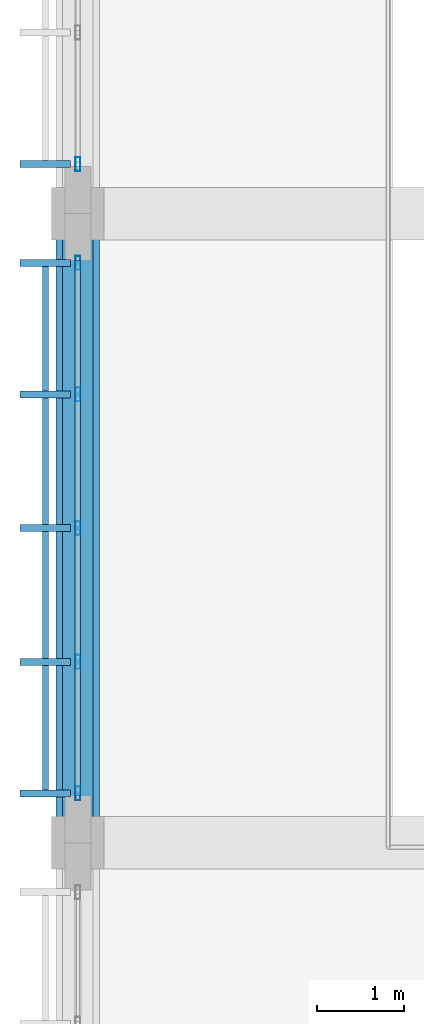
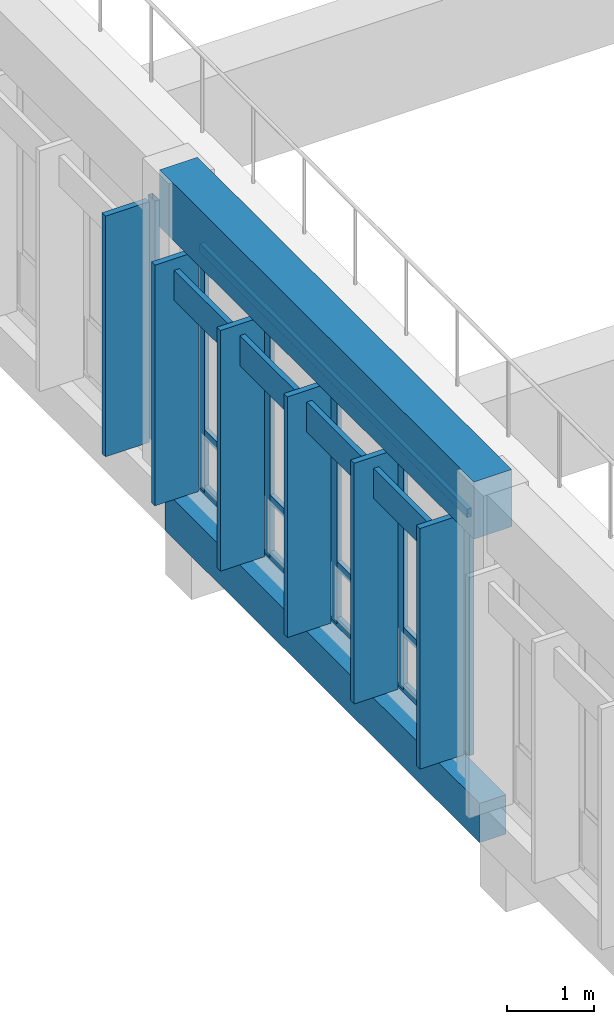
# One storey, part 15 of 182: 16 members, 2 beams, 2 elements without a shape of their own.
"""IFC4 building model written with IfcOpenShell, lengths in metres."""

from ifc_helpers import new_model, si_unit, direction, frame, origin, origin_2d, place, context, subcontext, project, spatial, rectangle, hollow_rectangle, extrude, material, material_profile, profile_set, type_object, element, aggregate, save


model = new_model("IFC4")

# Units and contexts
model_context = context("Model", 3, precision=1e-05, world=origin(), true_north=direction((0.0, 1.0)))
body_context = subcontext(model_context, "Body", "Model", "MODEL_VIEW")
ifc_project = project(units=[si_unit("LENGTHUNIT", "METRE"), si_unit("AREAUNIT", "SQUARE_METRE"), si_unit("VOLUMEUNIT", "CUBIC_METRE"), si_unit("PLANEANGLEUNIT", "RADIAN"), si_unit("MASSUNIT", "GRAM", prefix="KILO")], contexts=[model_context])

# Site, building, storey
site_placement = place(None, origin())
site = spatial("IfcSite", under=ifc_project, at=site_placement, CompositionType="ELEMENT")
building_placement = place(site_placement, origin())
building = spatial("IfcBuilding", under=site, at=building_placement, Name="Chiffa Square Polytechnic", CompositionType="ELEMENT")
storey_placement = place(building_placement, frame((0.0, 0.0, 9.60009765625)))
storey = spatial("IfcBuildingStorey", under=building, at=storey_placement, Name="L02", CompositionType="ELEMENT", Elevation=9.60009765625)

# Beams
ifc_material_1 = material(Name="Concrete C35/45", Category="concrete")
ifc_material_profile_1 = material_profile(ifc_material_1, rectangle(XDim=0.35009765625, YDim=0.550048828125, at=origin_2d()), Name="RC 350x550")
ifc_profile_set_1 = profile_set([ifc_material_profile_1], Name="Concrete C35/45")
beam_type_1 = type_object("IfcBeamType", Name="BM-RC-350X550", PredefinedType="BEAM", material=ifc_profile_set_1)
beam_1_placement = place(storey_placement, frame((0.0, 7.199951171875, -0.59521484375), z_axis=(0.0, 1.0, 0.0), x_axis=(-1.0, 0.0, 0.0)))
element("IfcBeam", 1, at=beam_1_placement, inside=storey, type_object=beam_type_1, Name="Primary floor girder BM-V3-L02-Y-0000-0072", PredefinedType="BEAM", context=body_context, shape_type="SweptSolid", body=[
    extrude(rectangle(XDim=0.35009765625, YDim=0.550048828125, at=origin_2d()), origin(), (0.0, 0.0, 1.0), 7.199951171875),
])
ifc_material_2 = material(Name="Concrete C40/50", Category="concrete")
ifc_material_profile_2 = material_profile(ifc_material_2, rectangle(XDim=0.5, YDim=0.800048828125, at=origin_2d()), Name="RC 500x800")
ifc_profile_set_2 = profile_set([ifc_material_profile_2], Name="Concrete C40/50")
beam_type_2 = type_object("IfcBeamType", Name="BM-RC-500X800", PredefinedType="BEAM", material=ifc_profile_set_2)
beam_2_placement = place(storey_placement, frame((0.0, 7.199951171875, 3.7998046875), z_axis=(0.0, 1.0, 0.0), x_axis=(-1.0, 0.0, 0.0)))
element("IfcBeam", 2, at=beam_2_placement, inside=storey, type_object=beam_type_2, Name="Lecture west eave ring beam BM-V3-EAVTIE-W2", PredefinedType="BEAM", context=body_context, shape_type="SweptSolid", body=[
    extrude(rectangle(XDim=0.5, YDim=0.800048828125, at=origin_2d()), origin(), (0.0, 0.0, 1.0), 7.199951171875),
])

# Curtain wall, member
ifc_material_3 = material(Name="Aluminium EN AW-6060 T66 and glulam shading", Category="wood")
curtain_wall_type_1 = type_object("IfcCurtainWallType", Name="CW-VERT-450X440", PredefinedType="USERDEFINED", material=ifc_material_3)
curtain_wall_1_placement = place(storey_placement, origin())
curtain_wall_1 = element("IfcCurtainWall", 3, at=curtain_wall_1_placement, inside=storey, type_object=curtain_wall_type_1, Name="Curtain wall CW-V3-L02-176", ObjectType="CURTAIN WALL", PredefinedType="USERDEFINED")
ifc_material_4 = material(Name="Aluminium EN AW-6060 T66", Category="aluminium")
ifc_material_profile_3 = material_profile(ifc_material_4, hollow_rectangle(XDim=0.06005859375, YDim=0.159912109375, WallThickness=0.00390625, at=origin_2d()), Name="ALU 60x160x4")
ifc_profile_set_3 = profile_set([ifc_material_profile_3], Name="Aluminium EN AW-6060 T66")
member_type_1 = type_object("IfcMemberType", Name="CWM-ALU-65X150", PredefinedType="MULLION", material=ifc_profile_set_3)
member_1_placement = place(storey_placement, frame((0.0, 14.965087890625, 0.0), z_axis=(0.0, 0.0, 1.0), x_axis=(1.0, 0.0, 0.0)))
member_1 = element("IfcMember", 4, at=member_1_placement, type_object=member_type_1, Name="Curtain wall mullion CW-V3-L02-176-M04", PredefinedType="MULLION", context=body_context, shape_type="SweptSolid", body=[
    extrude(hollow_rectangle(XDim=0.06005859375, YDim=0.159912109375, WallThickness=0.00390625, at=origin_2d()), origin(), (0.0, 0.0, 1.0), 3.385009765625),
])

# Curtain wall, members
curtain_wall_type_2 = type_object("IfcCurtainWallType", Name="CW-VERT-600X440", PredefinedType="USERDEFINED", material=ifc_material_3)
curtain_wall_2_placement = place(storey_placement, origin())
curtain_wall_2 = element("IfcCurtainWall", 5, at=curtain_wall_2_placement, inside=storey, type_object=curtain_wall_type_2, Name="Curtain wall CW-V3-L02-177", ObjectType="CURTAIN WALL", PredefinedType="USERDEFINED")
member_2_placement = place(storey_placement, frame((0.0, 13.8349609375, 0.0), z_axis=(0.0, 0.0, 1.0), x_axis=(1.0, 0.0, 0.0)))
member_2 = element("IfcMember", 6, at=member_2_placement, type_object=member_type_1, Name="Curtain wall mullion CW-V3-L02-177-M00", PredefinedType="MULLION", context=body_context, shape_type="SweptSolid", body=[
    extrude(hollow_rectangle(XDim=0.06005859375, YDim=0.159912109375, WallThickness=0.00390625, at=origin_2d()), origin(), (0.0, 0.0, 1.0), 3.385009765625),
])
member_3_placement = place(storey_placement, frame((0.0, 12.330078125, 0.0), z_axis=(0.0, 0.0, 1.0), x_axis=(1.0, 0.0, 0.0)))
member_3 = element("IfcMember", 7, at=member_3_placement, type_object=member_type_1, Name="Curtain wall mullion CW-V3-L02-177-M01", PredefinedType="MULLION", context=body_context, shape_type="SweptSolid", body=[
    extrude(hollow_rectangle(XDim=0.06005859375, YDim=0.159912109375, WallThickness=0.00390625, at=origin_2d()), origin(), (0.0, 0.0, 1.0), 3.385009765625),
])
member_4_placement = place(storey_placement, frame((0.0, 10.800048828125, 0.0), z_axis=(0.0, 0.0, 1.0), x_axis=(1.0, 0.0, 0.0)))
member_4 = element("IfcMember", 8, at=member_4_placement, type_object=member_type_1, Name="Curtain wall mullion CW-V3-L02-177-M02", PredefinedType="MULLION", context=body_context, shape_type="SweptSolid", body=[
    extrude(hollow_rectangle(XDim=0.06005859375, YDim=0.159912109375, WallThickness=0.00390625, at=origin_2d()), origin(), (0.0, 0.0, 1.0), 3.385009765625),
])
member_5_placement = place(storey_placement, frame((0.0, 9.27001953125, 0.0), z_axis=(0.0, 0.0, 1.0), x_axis=(1.0, 0.0, 0.0)))
member_5 = element("IfcMember", 9, at=member_5_placement, type_object=member_type_1, Name="Curtain wall mullion CW-V3-L02-177-M03", PredefinedType="MULLION", context=body_context, shape_type="SweptSolid", body=[
    extrude(hollow_rectangle(XDim=0.06005859375, YDim=0.159912109375, WallThickness=0.00390625, at=origin_2d()), origin(), (0.0, 0.0, 1.0), 3.385009765625),
])
member_6_placement = place(storey_placement, frame((0.0, 7.764892578125, 0.0), z_axis=(0.0, 0.0, 1.0), x_axis=(1.0, 0.0, 0.0)))
member_6 = element("IfcMember", 10, at=member_6_placement, type_object=member_type_1, Name="Curtain wall mullion CW-V3-L02-177-M04", PredefinedType="MULLION", context=body_context, shape_type="SweptSolid", body=[
    extrude(hollow_rectangle(XDim=0.06005859375, YDim=0.159912109375, WallThickness=0.00390625, at=origin_2d()), origin(), (0.0, 0.0, 1.0), 3.385009765625),
])

# Member
ifc_material_5 = material(Name="Glulam GL28h", Category="wood")
ifc_material_profile_4 = material_profile(ifc_material_5, rectangle(XDim=0.080078125, YDim=0.580078125, at=origin_2d()), Name="GL28h 80x580")
ifc_profile_set_4 = profile_set([ifc_material_profile_4], Name="Glulam GL28h")
member_type_2 = type_object("IfcMemberType", Name="CWM-GL-80X580", PredefinedType="MULLION", material=ifc_profile_set_4)
member_7_placement = place(storey_placement, frame((-0.3720703125, 14.965087890625, 0.010009765625), z_axis=(0.0, 0.0, 1.0), x_axis=(0.0, -1.0, 0.0)))
member_7 = element("IfcMember", 11, at=member_7_placement, type_object=member_type_2, Name="Exterior glulam solar fin CW-V3-L02-176-FN04", PredefinedType="MULLION", context=body_context, shape_type="SweptSolid", body=[
    extrude(rectangle(XDim=0.080078125, YDim=0.580078125, at=origin_2d()), origin(), (0.0, 0.0, 1.0), 3.364990234375),
])

aggregate(curtain_wall_1, [member_1, member_7])

member_8_placement = place(storey_placement, frame((-0.3720703125, 13.8349609375, 0.010009765625), z_axis=(0.0, 0.0, 1.0), x_axis=(0.0, -1.0, 0.0)))
member_8 = element("IfcMember", 12, at=member_8_placement, type_object=member_type_2, Name="Exterior glulam solar fin CW-V3-L02-177-FN00", PredefinedType="MULLION", context=body_context, shape_type="SweptSolid", body=[
    extrude(rectangle(XDim=0.080078125, YDim=0.580078125, at=origin_2d()), origin(), (0.0, 0.0, 1.0), 3.364990234375),
])

member_9_placement = place(storey_placement, frame((-0.3720703125, 12.330078125, 0.010009765625), z_axis=(0.0, 0.0, 1.0), x_axis=(0.0, -1.0, 0.0)))
member_9 = element("IfcMember", 13, at=member_9_placement, type_object=member_type_2, Name="Exterior glulam solar fin CW-V3-L02-177-FN01", PredefinedType="MULLION", context=body_context, shape_type="SweptSolid", body=[
    extrude(rectangle(XDim=0.080078125, YDim=0.580078125, at=origin_2d()), origin(), (0.0, 0.0, 1.0), 3.364990234375),
])

member_10_placement = place(storey_placement, frame((-0.3720703125, 10.800048828125, 0.010009765625), z_axis=(0.0, 0.0, 1.0), x_axis=(0.0, -1.0, 0.0)))
member_10 = element("IfcMember", 14, at=member_10_placement, type_object=member_type_2, Name="Exterior glulam solar fin CW-V3-L02-177-FN02", PredefinedType="MULLION", context=body_context, shape_type="SweptSolid", body=[
    extrude(rectangle(XDim=0.080078125, YDim=0.580078125, at=origin_2d()), origin(), (0.0, 0.0, 1.0), 3.364990234375),
])

member_11_placement = place(storey_placement, frame((-0.3720703125, 9.27001953125, 0.010009765625), z_axis=(0.0, 0.0, 1.0), x_axis=(0.0, -1.0, 0.0)))
member_11 = element("IfcMember", 15, at=member_11_placement, type_object=member_type_2, Name="Exterior glulam solar fin CW-V3-L02-177-FN03", PredefinedType="MULLION", context=body_context, shape_type="SweptSolid", body=[
    extrude(rectangle(XDim=0.080078125, YDim=0.580078125, at=origin_2d()), origin(), (0.0, 0.0, 1.0), 3.364990234375),
])

member_12_placement = place(storey_placement, frame((-0.3720703125, 7.764892578125, 0.010009765625), z_axis=(0.0, 0.0, 1.0), x_axis=(0.0, -1.0, 0.0)))
member_12 = element("IfcMember", 16, at=member_12_placement, type_object=member_type_2, Name="Exterior glulam solar fin CW-V3-L02-177-FN04", PredefinedType="MULLION", context=body_context, shape_type="SweptSolid", body=[
    extrude(rectangle(XDim=0.080078125, YDim=0.580078125, at=origin_2d()), origin(), (0.0, 0.0, 1.0), 3.364990234375),
])

ifc_material_profile_5 = material_profile(ifc_material_4, hollow_rectangle(XDim=0.06005859375, YDim=0.1201171875, WallThickness=0.00390625, at=origin_2d()), Name="ALU 60x120x4")
ifc_profile_set_5 = profile_set([ifc_material_profile_5], Name="Aluminium EN AW-6060 T66")
member_type_3 = type_object("IfcMemberType", Name="CWT-ALU-65X120", PredefinedType="USERDEFINED", material=ifc_profile_set_5)
member_13_placement = place(storey_placement, frame((0.0, 13.862060546875, 0.02978515625), z_axis=(0.0, -1.0, 0.0), x_axis=(1.0, 0.0, 0.0)))
member_13 = element("IfcMember", 17, at=member_13_placement, type_object=member_type_3, Name="Curtain wall transom CW-V3-L02-177-T01", ObjectType="TRANSOM", PredefinedType="USERDEFINED", context=body_context, shape_type="SweptSolid", body=[
    extrude(hollow_rectangle(XDim=0.06005859375, YDim=0.1201171875, WallThickness=0.00390625, at=origin_2d()), origin(), (0.0, 0.0, 1.0), 6.1240234375),
])

member_14_placement = place(storey_placement, frame((0.0, 13.862060546875, 0.81982421875), z_axis=(0.0, -1.0, 0.0), x_axis=(1.0, 0.0, 0.0)))
member_14 = element("IfcMember", 18, at=member_14_placement, type_object=member_type_3, Name="Curtain wall transom CW-V3-L02-177-T02", ObjectType="TRANSOM", PredefinedType="USERDEFINED", context=body_context, shape_type="SweptSolid", body=[
    extrude(hollow_rectangle(XDim=0.06005859375, YDim=0.1201171875, WallThickness=0.00390625, at=origin_2d()), origin(), (0.0, 0.0, 1.0), 6.1240234375),
])

member_15_placement = place(storey_placement, frame((0.0, 13.862060546875, 3.35498046875), z_axis=(0.0, -1.0, 0.0), x_axis=(1.0, 0.0, 0.0)))
member_15 = element("IfcMember", 19, at=member_15_placement, type_object=member_type_3, Name="Curtain wall transom CW-V3-L02-177-T03", ObjectType="TRANSOM", PredefinedType="USERDEFINED", context=body_context, shape_type="SweptSolid", body=[
    extrude(hollow_rectangle(XDim=0.06005859375, YDim=0.1201171875, WallThickness=0.00390625, at=origin_2d()), origin(), (0.0, 0.0, 1.0), 6.1240234375),
])

ifc_material_profile_6 = material_profile(ifc_material_5, rectangle(XDim=0.070068359375, YDim=0.419921875, at=origin_2d()), Name="GL28h 70x420")
ifc_profile_set_6 = profile_set([ifc_material_profile_6], Name="Glulam GL28h")
member_type_4 = type_object("IfcMemberType", Name="CWT-GL-70X420", PredefinedType="USERDEFINED", material=ifc_profile_set_6)
member_16_placement = place(storey_placement, frame((-0.3720703125, 13.8349609375, 3.0048828125), z_axis=(0.0, -1.0, 0.0), x_axis=(1.0, 0.0, 0.0)))
member_16 = element("IfcMember", 20, at=member_16_placement, type_object=member_type_4, Name="Exterior glulam brise-soleil CW-V3-L02-177-BS01", ObjectType="TRANSOM", PredefinedType="USERDEFINED", context=body_context, shape_type="SweptSolid", body=[
    extrude(rectangle(XDim=0.070068359375, YDim=0.419921875, at=origin_2d()), origin(), (0.0, 0.0, 1.0), 6.070068359375),
])

aggregate(curtain_wall_2, [member_2, member_8, member_3, member_9, member_4, member_10, member_5, member_11, member_6, member_12, member_13, member_14, member_15, member_16])

save(model, "model.ifc")
